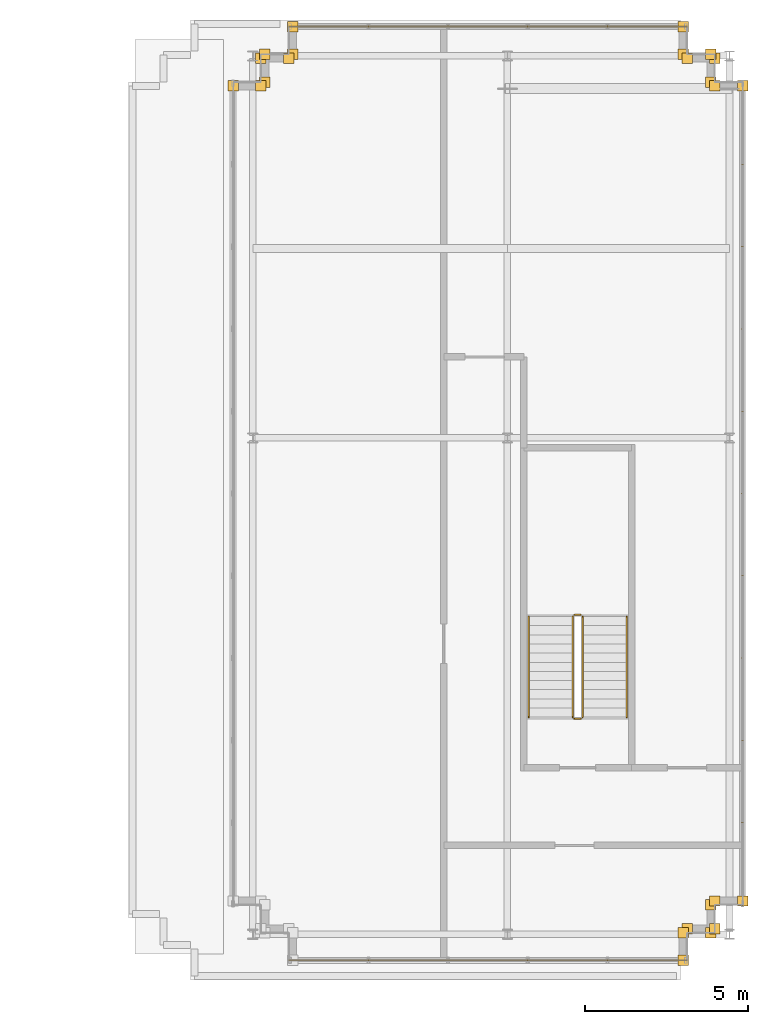
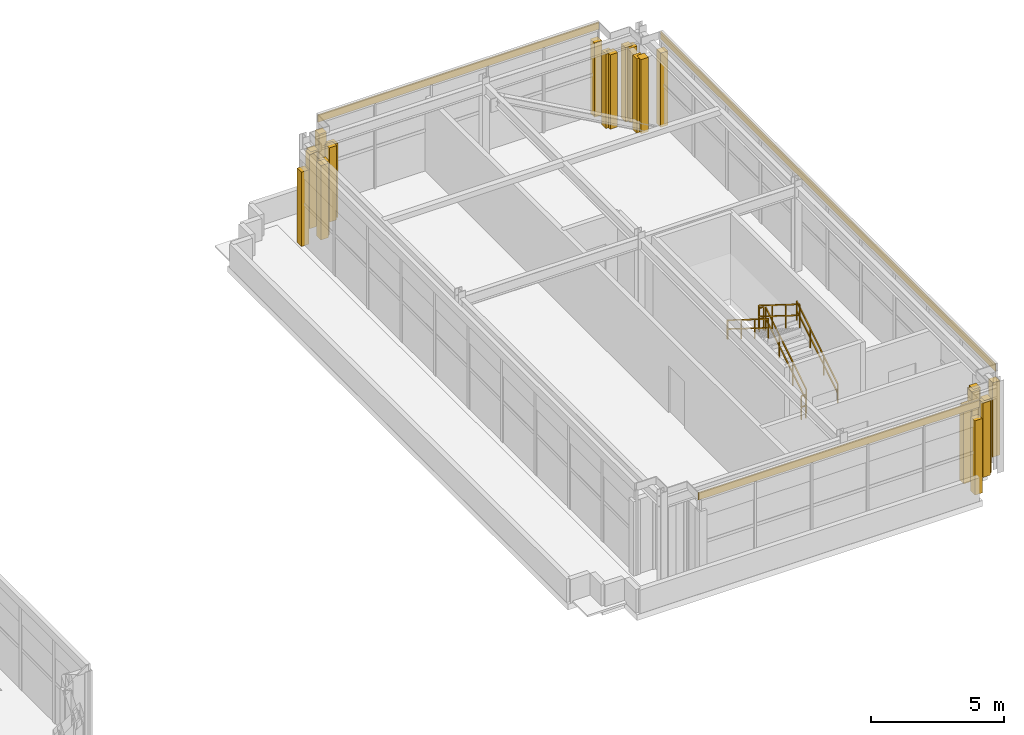
# One storey, part 24 of 25: 27 coverings, 6 railings.
"""IFC4 building model written with IfcOpenShell, lengths in metres."""

from ifc_helpers import new_model, si_unit, direction, frame, origin, origin_2d, place, context, subcontext, project, spatial, rectangle, extrude, source, transform, mapped, material, layer, layer_set, type_object, element, save


model = new_model("IFC4")

# Units and contexts
model_context = context("Model", 3, precision=1e-05, world=origin(), true_north=direction((0.0, 1.0)))
body_context = subcontext(model_context, "Body", "Model", "MODEL_VIEW")
ifc_project = project(units=[si_unit("LENGTHUNIT", "METRE"), si_unit("AREAUNIT", "SQUARE_METRE"), si_unit("VOLUMEUNIT", "CUBIC_METRE"), si_unit("PLANEANGLEUNIT", "RADIAN"), si_unit("MASSUNIT", "GRAM", prefix="KILO")], contexts=[model_context])

# Site, building, storey
site_placement = place(None, origin())
site = spatial("IfcSite", under=ifc_project, at=site_placement, CompositionType="ELEMENT")
building_placement = place(site_placement, origin())
building = spatial("IfcBuilding", under=site, at=building_placement, Name="Trelvane Seafront Commons", CompositionType="ELEMENT")
storey_placement = place(building_placement, frame((0.0, 0.0, 316.699951171875)))
storey = spatial("IfcBuildingStorey", under=building, at=storey_placement, Name="L82", CompositionType="ELEMENT", Elevation=316.699951171875)

# Railings
ifc_material_1 = material(Name="Stainless steel balustrade", Category="steel")
railing_type_1 = type_object("IfcRailingType", Name="ARCH-SRL-GUARD", PredefinedType="GUARDRAIL", material=ifc_material_1)
railing_1_placement = place(storey_placement, frame((61.10009765625, 24.85009765625, 0.175048828125)))
element("IfcRailing", 1, at=railing_1_placement, inside=storey, type_object=railing_type_1, Name="L82 ST-6 stair guard 1", PredefinedType="GUARDRAIL", context=body_context, shape_type="SweptSolid", body=[
    extrude(rectangle(XDim=0.048095703125, YDim=0.048095703125, at=origin_2d()), frame((0.0, 0.0, 1.076171875), z_axis=(0.0, 0.847979421464, 0.530029150871), x_axis=(-1.0, 0.0, 0.0)), (0.0, 0.0, 1.0), 3.632080078125),
    extrude(rectangle(XDim=0.048095703125, YDim=0.048095703125, at=origin_2d()), frame((0.0, 0.0, 0.572021484375), z_axis=(0.0, 0.847979421464, 0.530029150871), x_axis=(-1.0, 0.0, 0.0)), (0.0, 0.0, 1.0), 3.632080078125),
    extrude(rectangle(XDim=0.0419921875, YDim=0.0419921875, at=origin_2d()), origin(), (0.0, 0.0, 1.0), 1.076171875),
    extrude(rectangle(XDim=0.0419921875, YDim=0.0419921875, at=origin_2d()), frame((0.0, 1.026611328125, 0.6416015625)), (0.0, 0.0, 1.0), 1.076171875),
    extrude(rectangle(XDim=0.0419921875, YDim=0.0419921875, at=origin_2d()), frame((0.0, 2.05322265625, 1.283447265625)), (0.0, 0.0, 1.0), 1.076171875),
    extrude(rectangle(XDim=0.0419921875, YDim=0.0419921875, at=origin_2d()), frame((0.0, 3.079833984375, 1.925048828125)), (0.0, 0.0, 1.0), 1.076171875),
])
railing_2_placement = place(storey_placement, frame((61.050048828125, 27.97998046875, 2.10009765625)))
element("IfcRailing", 2, at=railing_2_placement, inside=storey, type_object=railing_type_1, Name="L82 ST-6 stair guard 2", PredefinedType="GUARDRAIL", context=body_context, shape_type="SweptSolid", body=[
    extrude(rectangle(XDim=0.048095703125, YDim=0.048095703125, at=origin_2d()), frame((0.0, 0.0, 1.076171875), z_axis=(-1.0, 0.0, 0.0), x_axis=(0.0, -1.0, 0.0)), (0.0, 0.0, 1.0), 0.199951171875),
    extrude(rectangle(XDim=0.048095703125, YDim=0.048095703125, at=origin_2d()), frame((0.0, 0.0, 0.572021484375), z_axis=(-1.0, 0.0, 0.0), x_axis=(0.0, -1.0, 0.0)), (0.0, 0.0, 1.0), 0.199951171875),
    extrude(rectangle(XDim=0.0419921875, YDim=0.0419921875, at=origin_2d()), origin(), (0.0, 0.0, 1.0), 1.076171875),
    extrude(rectangle(XDim=0.0419921875, YDim=0.0419921875, at=origin_2d()), frame((-0.199951171875, 0.0, 0.0)), (0.0, 0.0, 1.0), 1.076171875),
])
railing_3_placement = place(storey_placement, frame((60.800048828125, 27.929931640625, 2.275146484375)))
element("IfcRailing", 3, at=railing_3_placement, inside=storey, type_object=railing_type_1, Name="L82 ST-6 stair guard 3", PredefinedType="GUARDRAIL", context=body_context, shape_type="SweptSolid", body=[
    extrude(rectangle(XDim=0.048095703125, YDim=0.048095703125, at=origin_2d()), frame((0.0, 0.0, 1.076171875), z_axis=(0.0, -0.848009633417, 0.529980812513), x_axis=(1.0, 0.0, 0.0)), (0.0, 0.0, 1.0), 3.6318359375),
    extrude(rectangle(XDim=0.048095703125, YDim=0.048095703125, at=origin_2d()), frame((0.0, 0.0, 0.572021484375), z_axis=(0.0, -0.848009633417, 0.529980812513), x_axis=(1.0, 0.0, 0.0)), (0.0, 0.0, 1.0), 3.6318359375),
    extrude(rectangle(XDim=0.0419921875, YDim=0.0419921875, at=origin_2d()), origin(), (0.0, 0.0, 1.0), 1.076171875),
    extrude(rectangle(XDim=0.0419921875, YDim=0.0419921875, at=origin_2d()), frame((0.0, -1.026611328125, 0.6416015625)), (0.0, 0.0, 1.0), 1.076171875),
    extrude(rectangle(XDim=0.0419921875, YDim=0.0419921875, at=origin_2d()), frame((0.0, -2.05322265625, 1.283203125)), (0.0, 0.0, 1.0), 1.076171875),
    extrude(rectangle(XDim=0.0419921875, YDim=0.0419921875, at=origin_2d()), frame((0.0, -3.079833984375, 1.9248046875)), (0.0, 0.0, 1.0), 1.076171875),
])
railing_4_placement = place(storey_placement, frame((61.050048828125, 24.800048828125, 0.0)))
element("IfcRailing", 4, at=railing_4_placement, inside=storey, type_object=railing_type_1, Name="L82 ST-6 stair guard 4", PredefinedType="GUARDRAIL", context=body_context, shape_type="SweptSolid", body=[
    extrude(rectangle(XDim=0.048095703125, YDim=0.048095703125, at=origin_2d()), frame((0.0, 0.0, 1.076171875), z_axis=(-1.0, 0.0, 0.0), x_axis=(0.0, -1.0, 0.0)), (0.0, 0.0, 1.0), 0.199951171875),
    extrude(rectangle(XDim=0.048095703125, YDim=0.048095703125, at=origin_2d()), frame((0.0, 0.0, 0.572021484375), z_axis=(-1.0, 0.0, 0.0), x_axis=(0.0, -1.0, 0.0)), (0.0, 0.0, 1.0), 0.199951171875),
    extrude(rectangle(XDim=0.0419921875, YDim=0.0419921875, at=origin_2d()), origin(), (0.0, 0.0, 1.0), 1.076171875),
    extrude(rectangle(XDim=0.0419921875, YDim=0.0419921875, at=origin_2d()), frame((-0.199951171875, 0.0, 0.0)), (0.0, 0.0, 1.0), 1.076171875),
])
railing_type_2 = type_object("IfcRailingType", Name="ARCH-SRL-HAND", PredefinedType="HANDRAIL", material=ifc_material_1)
railing_5_placement = place(storey_placement, frame((62.449951171875, 24.85009765625, 0.175048828125)))
element("IfcRailing", 5, at=railing_5_placement, inside=storey, type_object=railing_type_2, Name="L82 ST-6 stair handrail 1", PredefinedType="HANDRAIL", context=body_context, shape_type="SweptSolid", body=[
    extrude(rectangle(XDim=0.048095703125, YDim=0.048095703125, at=origin_2d()), frame((0.0, 0.0, 0.8759765625), z_axis=(0.0, 0.847979421464, 0.530029150871), x_axis=(-1.0, 0.0, 0.0)), (0.0, 0.0, 1.0), 3.632080078125),
    extrude(rectangle(XDim=0.048095703125, YDim=0.048095703125, at=origin_2d()), frame((0.0, 0.0, 0.468017578125), z_axis=(0.0, 0.847979421464, 0.530029150871), x_axis=(-1.0, 0.0, 0.0)), (0.0, 0.0, 1.0), 3.632080078125),
    extrude(rectangle(XDim=0.0419921875, YDim=0.0419921875, at=origin_2d()), origin(), (0.0, 0.0, 1.0), 0.8759765625),
    extrude(rectangle(XDim=0.0419921875, YDim=0.0419921875, at=origin_2d()), frame((0.0, 1.026611328125, 0.6416015625)), (0.0, 0.0, 1.0), 0.8759765625),
    extrude(rectangle(XDim=0.0419921875, YDim=0.0419921875, at=origin_2d()), frame((0.0, 2.05322265625, 1.283447265625)), (0.0, 0.0, 1.0), 0.8759765625),
    extrude(rectangle(XDim=0.0419921875, YDim=0.0419921875, at=origin_2d()), frame((0.0, 3.079833984375, 1.925048828125)), (0.0, 0.0, 1.0), 0.8759765625),
])
railing_6_placement = place(storey_placement, frame((59.449951171875, 27.929931640625, 2.275146484375)))
element("IfcRailing", 6, at=railing_6_placement, inside=storey, type_object=railing_type_2, Name="L82 ST-6 stair handrail 2", PredefinedType="HANDRAIL", context=body_context, shape_type="SweptSolid", body=[
    extrude(rectangle(XDim=0.048095703125, YDim=0.048095703125, at=origin_2d()), frame((0.0, 0.0, 0.8759765625), z_axis=(0.0, -0.848009633417, 0.529980812513), x_axis=(1.0, 0.0, 0.0)), (0.0, 0.0, 1.0), 3.6318359375),
    extrude(rectangle(XDim=0.048095703125, YDim=0.048095703125, at=origin_2d()), frame((0.0, 0.0, 0.468017578125), z_axis=(0.0, -0.848009633417, 0.529980812513), x_axis=(1.0, 0.0, 0.0)), (0.0, 0.0, 1.0), 3.6318359375),
    extrude(rectangle(XDim=0.0419921875, YDim=0.0419921875, at=origin_2d()), origin(), (0.0, 0.0, 1.0), 0.8759765625),
    extrude(rectangle(XDim=0.0419921875, YDim=0.0419921875, at=origin_2d()), frame((0.0, -1.026611328125, 0.6416015625)), (0.0, 0.0, 1.0), 0.8759765625),
    extrude(rectangle(XDim=0.0419921875, YDim=0.0419921875, at=origin_2d()), frame((0.0, -2.05322265625, 1.283203125)), (0.0, 0.0, 1.0), 0.8759765625),
    extrude(rectangle(XDim=0.0419921875, YDim=0.0419921875, at=origin_2d()), frame((0.0, -3.079833984375, 1.9248046875)), (0.0, 0.0, 1.0), 0.8759765625),
])

# Coverings
ifc_material_2 = material(Name="Anodised pale-silver aluminium", Category="aluminium")
ifc_layer = layer(ifc_material_2, 0.034912109375, Name="ARCH-COV-CLAD35")
ifc_layer_set = layer_set([ifc_layer], Name="Anodised pale-silver aluminium")
covering_type = type_object("IfcCoveringType", Name="ARCH-COV-CLAD35", PredefinedType="CLADDING", material=ifc_layer_set)
shared_shape_1 = source(origin(), body_context, "Body", "SweptSolid", [
    extrude(rectangle(XDim=0.320068359375, YDim=0.320068359375, at=origin_2d()), origin(), (0.0, 0.0, 1.0), 3.409912109375),
])
for number, where, z_axis, x_axis, name in (
    (7, (50.39990234375, 44.179931640625, 0.0), (0.0, 0.0, 1.0), (1.0, 0.0, 0.0), "CLD-CP-L82-00693"),
    (8, (51.25, 44.179931640625, 0.0), (0.0, 0.0, 1.0), (1.0, 0.0, 0.0), "CLD-CP-L82-00694"),
    (9, (51.3701171875, 44.300048828125, 0.0), (0.0, 0.0, 1.0), (1.0, 0.0, 0.0), "CLD-CP-L82-00696"),
    (10, (51.3701171875, 45.14990234375, 0.0), (0.0, 0.0, 1.0), (1.0, 0.0, 0.0), "CLD-CP-L82-00697"),
    (11, (51.25, 45.030029296875, 0.0), (0.0, 0.0, 1.0), (1.0, 0.0, 0.0), "CLD-CP-L82-00699"),
    (12, (52.10009765625, 45.030029296875, 0.0), (0.0, 0.0, 1.0), (1.0, 0.0, 0.0), "CLD-CP-L82-00700"),
    (13, (52.219970703125, 45.14990234375, 0.0), (0.0, 0.0, 1.0), (1.0, 0.0, 0.0), "CLD-CP-L82-00702"),
    (14, (52.219970703125, 46.0, 0.0), (0.0, 0.0, 1.0), (1.0, 0.0, 0.0), "CLD-CP-L82-00703"),
    (15, (64.179931640625, 46.0, 0.0), (0.0, 0.0, 1.0), (1.0, 0.0, 0.0), "CLD-CP-L82-00706"),
    (16, (64.179931640625, 45.14990234375, 0.0), (0.0, 0.0, 1.0), (1.0, 0.0, 0.0), "CLD-CP-L82-00707"),
    (17, (64.300048828125, 45.030029296875, 0.0), (0.0, 0.0, 1.0), (1.0, 0.0, 0.0), "CLD-CP-L82-00709"),
    (18, (65.14990234375, 45.030029296875, 0.0), (0.0, 0.0, 1.0), (1.0, 0.0, 0.0), "CLD-CP-L82-00710"),
    (19, (65.030029296875, 45.14990234375, 0.0), (0.0, 0.0, 1.0), (1.0, 0.0, 0.0), "CLD-CP-L82-00712"),
    (20, (65.030029296875, 44.300048828125, 0.0), (0.0, 0.0, 1.0), (1.0, 0.0, 0.0), "CLD-CP-L82-00713"),
    (21, (65.14990234375, 44.179931640625, 0.0), (0.0, 0.0, 1.0), (1.0, 0.0, 0.0), "CLD-CP-L82-00715"),
    (22, (66.0, 44.179931640625, 0.0), (0.0, 0.0, 1.0), (1.0, 0.0, 0.0), "CLD-CP-L82-00716"),
    (23, (66.0, 19.219970703125, 0.0), (0.0, 0.0, 1.0), (1.0, 0.0, 0.0), "CLD-CP-L82-00719"),
    (24, (65.14990234375, 19.219970703125, 0.0), (0.0, 0.0, 1.0), (1.0, 0.0, 0.0), "CLD-CP-L82-00720"),
    (25, (65.030029296875, 19.10009765625, 0.0), (0.0, 0.0, 1.0), (1.0, 0.0, 0.0), "CLD-CP-L82-00722"),
    (26, (65.030029296875, 18.25, 0.0), (0.0, 0.0, 1.0), (1.0, 0.0, 0.0), "CLD-CP-L82-00723"),
    (27, (65.14990234375, 18.3701171875, 0.0), (0.0, 0.0, 1.0), (1.0, 0.0, 0.0), "CLD-CP-L82-00725"),
    (28, (64.300048828125, 18.3701171875, 0.0), (0.0, 0.0, 1.0), (1.0, 0.0, 0.0), "CLD-CP-L82-00726"),
    (29, (64.179931640625, 18.25, 0.0), (0.0, 0.0, 1.0), (1.0, 0.0, 0.0), "CLD-CP-L82-00728"),
    (30, (64.179931640625, 17.39990234375, 0.0), (0.0, 0.0, 1.0), (1.0, 0.0, 0.0), "CLD-CP-L82-00729"),
):
    element("IfcCovering", number, at=place(storey_placement, frame(where, z_axis=z_axis, x_axis=x_axis)), inside=storey, type_object=covering_type, Name=name, PredefinedType="CLADDING", context=body_context, shape_type="MappedRepresentation", body=[
        mapped(shared_shape_1, transform((0.0, 0.0, 0.0), x_axis=(1.0, 0.0, 0.0), y_axis=(0.0, 1.0, 0.0), z_axis=(0.0, 0.0, 1.0), scale=1.0)),
    ])
shared_shape_2 = source(origin(), body_context, "Body", "SweptSolid", [
    extrude(rectangle(XDim=25.199951171875, YDim=0.034912109375, at=origin_2d()), origin(), (0.0, 0.0, 1.0), 0.340087890625),
])
covering_placement = place(storey_placement, frame((66.0, 31.699951171875, 3.85986328125), z_axis=(0.0, 0.0, 1.0), x_axis=(0.0, -1.0, 0.0)))
element("IfcCovering", 31, at=covering_placement, inside=storey, type_object=covering_type, Name="CLD-L82-0718", PredefinedType="CLADDING", context=body_context, shape_type="MappedRepresentation", body=[
    mapped(shared_shape_2, transform((0.0, 0.0, 0.0), x_axis=(1.0, 0.0, 0.0), y_axis=(0.0, 1.0, 0.0), z_axis=(0.0, 0.0, 1.0), scale=1.0)),
])
shared_shape_3 = source(origin(), body_context, "Body", "SweptSolid", [
    extrude(rectangle(XDim=12.199951171875, YDim=0.034912109375, at=origin_2d()), origin(), (0.0, 0.0, 1.0), 0.340087890625),
])
for number, where, z_axis, x_axis, name in (
    (32, (58.199951171875, 46.0, 3.85986328125), (0.0, 0.0, 1.0), (1.0, 0.0, 0.0), "CLD-L82-0705"),
    (33, (58.199951171875, 17.39990234375, 3.85986328125), (0.0, 0.0, 1.0), (-1.0, 0.0, 0.0), "CLD-L82-0731"),
):
    element("IfcCovering", number, at=place(storey_placement, frame(where, z_axis=z_axis, x_axis=x_axis)), inside=storey, type_object=covering_type, Name=name, PredefinedType="CLADDING", context=body_context, shape_type="MappedRepresentation", body=[
        mapped(shared_shape_3, transform((0.0, 0.0, 0.0), x_axis=(1.0, 0.0, 0.0), y_axis=(0.0, 1.0, 0.0), z_axis=(0.0, 0.0, 1.0), scale=1.0)),
    ])

save(model, "model.ifc")
